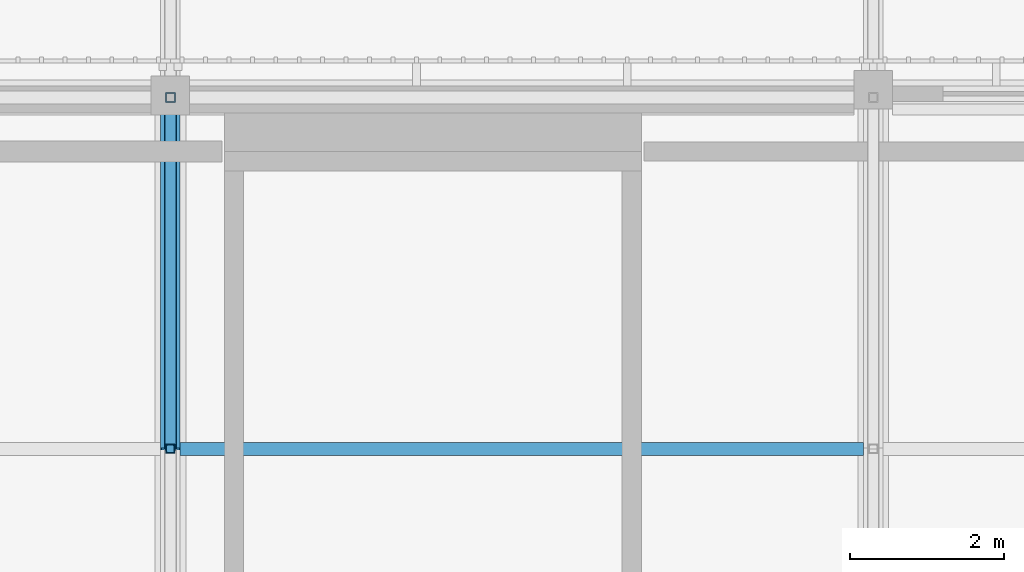
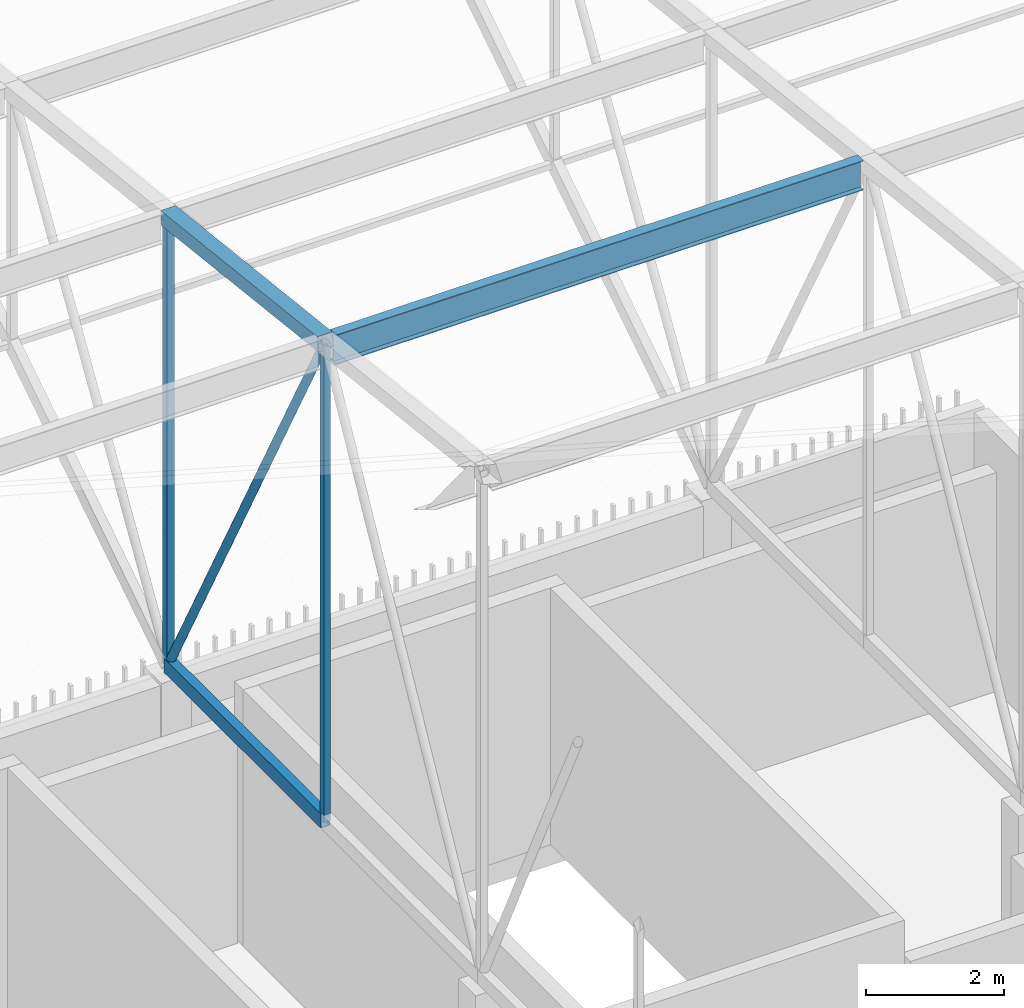
# One storey, part 245 of 500: 6 members.
"""IFC4 building model written with IfcOpenShell, lengths in metres."""

import ifcopenshell
import ifcopenshell.guid

model = None  # the IFC model being written
_history = None  # IfcOwnerHistory: only IFC2X3 demands one
_inside = {}  # id of a spatial element -> (the spatial element, [elements in it])
_under = {}  # id of a project, library or spatial element -> (it, [spatial elements below it])
_declared = {}  # id of a project -> (the project, [libraries it declares])
_typed = {}  # id of a type object -> (the type object, [elements of that type])
_made_of = {}  # id of a material, layer set ... -> (it, [elements and type objects made of it])


def new_model(schema):
    """Start an empty IFC model of exactly this schema.

    Asked for "IFC4X3", IfcOpenShell would pick the latest addendum, in which some entities
    have other attributes; the version numbers below select the first issue.
    IFC2X3 requires an IfcOwnerHistory on every rooted entity: one is made here for all.
    """
    global model, _history
    if schema == "IFC4X3":
        model = ifcopenshell.file(schema_version=(4, 3, 0, 0))
    else:
        model = ifcopenshell.file(schema=schema)
    _inside.clear()
    _under.clear()
    _declared.clear()
    _typed.clear()
    _made_of.clear()
    _history = None
    if model.schema == "IFC2X3":
        org = make("IfcOrganization", Name="unknown")
        user = make(
            "IfcPersonAndOrganization",
            ThePerson=make("IfcPerson", FamilyName="unknown"),
            TheOrganization=org,
        )
        app = make(
            "IfcApplication",
            ApplicationDeveloper=org,
            Version="unknown",
            ApplicationFullName="unknown",
            ApplicationIdentifier="unknown",
        )
        _history = make(
            "IfcOwnerHistory",
            OwningUser=user,
            OwningApplication=app,
            ChangeAction="ADDED",
            CreationDate=0,
        )
    return model


def make(cls, **values):
    """One entity of the class cls with the attributes given. An attribute that is None is left unset."""
    return model.create_entity(
        cls, **{name: value for name, value in values.items() if value is not None}
    )


def rooted(cls, **values):
    """An entity with a GlobalId (a new one), such as an element, a storey or a relation."""
    return make(cls, GlobalId=ifcopenshell.guid.new(), OwnerHistory=_history, **values)


def si_unit(unit_type, name, prefix=None):
    """IfcSIUnit, for example si_unit("LENGTHUNIT", "METRE", prefix="MILLI")."""
    return make("IfcSIUnit", UnitType=unit_type, Prefix=prefix, Name=name)


def assignment(units):
    """IfcUnitAssignment: the units of a project."""
    return None if units is None else make("IfcUnitAssignment", Units=units)


def point(xyz):
    """IfcCartesianPoint."""
    return None if xyz is None else make("IfcCartesianPoint", Coordinates=xyz)


def direction(xyz):
    """IfcDirection."""
    return None if xyz is None else make("IfcDirection", DirectionRatios=xyz)


def frame(location, z_axis=None, x_axis=None):
    """IfcAxis2Placement3D, a coordinate frame: its origin and axes. An axis left out is left unset."""
    return make(
        "IfcAxis2Placement3D",
        Location=point(location),
        Axis=direction(z_axis),
        RefDirection=direction(x_axis),
    )


def frame_2d(location, x_axis=None):
    """IfcAxis2Placement2D, a coordinate frame in the plane: its origin and x axis."""
    return make(
        "IfcAxis2Placement2D", Location=point(location), RefDirection=direction(x_axis)
    )


def origin():
    """The frame at (0, 0, 0) with its axes left unset."""
    return frame((0.0, 0.0, 0.0))


def origin_2d():
    """The frame at (0, 0) in the plane with its x axis left unset."""
    return frame_2d((0.0, 0.0))


def place(relative_to, where):
    """IfcLocalPlacement: puts the frame where relative to a parent placement (None: the world)."""
    return make(
        "IfcLocalPlacement", PlacementRelTo=relative_to, RelativePlacement=where
    )


def context(
    kind, dimensions, precision=None, world=None, true_north=None, identifier=None
):
    """IfcGeometricRepresentationContext, for example the 3D "Model" context."""
    return make(
        "IfcGeometricRepresentationContext",
        ContextIdentifier=identifier,
        ContextType=kind,
        CoordinateSpaceDimension=dimensions,
        Precision=precision,
        WorldCoordinateSystem=world,
        TrueNorth=true_north,
    )


def subcontext(parent, identifier, kind, view, scale=None):
    """IfcGeometricRepresentationSubContext, for example "Body" below "Model"."""
    return make(
        "IfcGeometricRepresentationSubContext",
        ContextIdentifier=identifier,
        ContextType=kind,
        ParentContext=parent,
        TargetScale=scale,
        TargetView=view,
    )


def project(units=None, contexts=None):
    """IfcProject with its units and contexts."""
    return rooted(
        "IfcProject",
        Name="project",
        RepresentationContexts=contexts,
        UnitsInContext=assignment(units),
    )


def spatial(cls, under=None, at=None, **own):
    """A site, building, storey or space (cls), placed at a placement, below another one or the project."""
    s = rooted(cls, ObjectPlacement=at, **own)
    if under is not None:
        _under.setdefault(under.id(), (under, []))[1].append(s)
    return s


def profile(cls, at=None, kind="AREA", **sizes):
    """A parametric profile (cls). Its sizes go by their IFC names, for example OverallWidth=200.0."""
    return make(cls, ProfileType=kind, Position=at, **sizes)


def hollow_rectangle(**sizes):
    """IfcRectangleHollowProfileDef."""
    return profile("IfcRectangleHollowProfileDef", **sizes)


def hollow_circle(**sizes):
    """IfcCircleHollowProfileDef."""
    return profile("IfcCircleHollowProfileDef", **sizes)


def i_section(**sizes):
    """IfcIShapeProfileDef."""
    return profile("IfcIShapeProfileDef", **sizes)


def extrude(swept, where, along, depth):
    """IfcExtrudedAreaSolid: the profile swept, set in the frame where, extruded along a direction by depth."""
    return make(
        "IfcExtrudedAreaSolid",
        SweptArea=swept,
        Position=where,
        ExtrudedDirection=direction(along),
        Depth=depth,
    )


def shape(context_of_items, identifier, shape_type, items):
    """IfcShapeRepresentation: the items that make up one representation, for example the "Body"."""
    return make(
        "IfcShapeRepresentation",
        ContextOfItems=context_of_items,
        RepresentationIdentifier=identifier,
        RepresentationType=shape_type,
        Items=items,
    )


def material(Name=None, Category=None):
    """IfcMaterial."""
    return make("IfcMaterial", Name=Name, Category=Category)


def material_profile(
    of_material, cross_section, Name=None, Category=None, Priority=None
):
    """IfcMaterialProfile: a cross section and its material."""
    return make(
        "IfcMaterialProfile",
        Name=Name,
        Material=of_material,
        Profile=cross_section,
        Priority=Priority,
        Category=Category,
    )


def profile_set(profiles, Name=None, composite=None):
    """IfcMaterialProfileSet."""
    return make(
        "IfcMaterialProfileSet",
        Name=Name,
        MaterialProfiles=profiles,
        CompositeProfile=composite,
    )


def made_of(thing, what):
    """Note that an element or type object is made of a material, layer set ...; save() writes the relation."""
    if what is not None:
        _made_of.setdefault(what.id(), (what, []))[1].append(thing)
    return thing


def type_object(cls, material=None, **own):
    """A type object (cls), such as IfcWallType, which elements share."""
    return made_of(rooted(cls, **own), material)


def element(
    cls,
    number,
    at=None,
    inside=None,
    cuts=None,
    type_object=None,
    material=None,
    context=None,
    identifier="Body",
    shape_type=None,
    held_by="IfcProductDefinitionShape",
    body=None,
    shapes=None,
    **own,
):
    """One element of the class cls, such as IfcWall. Its Tag is "e" and its number.

    at: its placement. inside: the storey or other place that contains it. cuts: it is an
    opening in that element (IfcRelVoidsElement). A single representation is given by context,
    identifier, shape_type and body (its items); several are given by shapes. held_by: the class
    of the entity that holds the representations. save() writes the other relations.
    """
    e = rooted(cls, Tag="e%d" % number, ObjectPlacement=at, **own)
    if body is not None:
        shapes = [shape(context, identifier, shape_type, body)]
    if shapes is not None:
        e.Representation = make(held_by, Representations=shapes)
    if inside is not None:
        _inside.setdefault(inside.id(), (inside, []))[1].append(e)
    if cuts is not None:
        rooted(
            "IfcRelVoidsElement", RelatingBuildingElement=cuts, RelatedOpeningElement=e
        )
    if type_object is not None:
        _typed.setdefault(type_object.id(), (type_object, []))[1].append(e)
    return made_of(e, material)


def aggregate(whole, parts):
    """IfcRelAggregates: a whole, such as a stair, and the parts it consists of."""
    return rooted("IfcRelAggregates", RelatingObject=whole, RelatedObjects=parts)


def save(model, path):
    """Write the relations noted so far, then the file.

    IfcRelAggregates (storeys below a building ...), IfcRelContainedInSpatialStructure (elements
    in a storey), IfcRelDefinesByType, IfcRelAssociatesMaterial and IfcRelDeclares: one each for
    every whole, place, type object, material and project.
    """
    for whole, parts in _under.values():
        aggregate(whole, parts)
    for where, things in _inside.values():
        rooted(
            "IfcRelContainedInSpatialStructure",
            RelatedElements=things,
            RelatingStructure=where,
        )
    for kind, things in _typed.values():
        rooted("IfcRelDefinesByType", RelatedObjects=things, RelatingType=kind)
    for what, things in _made_of.values():
        rooted("IfcRelAssociatesMaterial", RelatedObjects=things, RelatingMaterial=what)
    for by, libraries in _declared.values():
        rooted("IfcRelDeclares", RelatingContext=by, RelatedDefinitions=libraries)
    model.write(path)


model = new_model("IFC4")

# Units and contexts
model_context = context("Model", 3, precision=1e-05, world=origin(), true_north=direction((0.0, 1.0)))
body_context = subcontext(model_context, "Body", "Model", "MODEL_VIEW")
ifc_project = project(units=[si_unit("LENGTHUNIT", "METRE"), si_unit("AREAUNIT", "SQUARE_METRE"), si_unit("VOLUMEUNIT", "CUBIC_METRE"), si_unit("PLANEANGLEUNIT", "RADIAN"), si_unit("MASSUNIT", "GRAM", prefix="KILO")], contexts=[model_context])

# Site, building, storey
site_placement = place(None, origin())
site = spatial("IfcSite", under=ifc_project, at=site_placement, CompositionType="ELEMENT")
building_placement = place(site_placement, origin())
building = spatial("IfcBuilding", under=site, at=building_placement, Name="Shirokan Park Arena", CompositionType="ELEMENT")
storey_placement = place(building_placement, frame((0.0, 0.0, 29.1201171875)))
storey = spatial("IfcBuildingStorey", under=building, at=storey_placement, Name="L06", CompositionType="ELEMENT", Elevation=29.1201171875)

# Members
ifc_material_1 = material(Name="Steel ASTM A500 Grade C", Category="steel")
ifc_material_profile_1 = material_profile(ifc_material_1, hollow_rectangle(XDim=0.152099609375, YDim=0.25390625, WallThickness=0.009521484375, at=origin_2d()), Name="HSS254X152.4X9.5")
ifc_profile_set_1 = profile_set([ifc_material_profile_1], Name="Steel ASTM A500 Grade C")
member_type_1 = type_object("IfcMemberType", Name="Bottom chord HSS254X152.4X9.5", PredefinedType="CHORD", material=ifc_profile_set_1)
member_1_placement = place(storey_placement, frame((27.300048828125, 104.64990234375, 4.677001953125), z_axis=(0.0, 1.0, 0.0), x_axis=(-1.0, 0.0, 0.0)))
element("IfcMember", 1, at=member_1_placement, inside=storey, type_object=member_type_1, Name="Truss T04 bottom chord 26", PredefinedType="CHORD", context=body_context, shape_type="SweptSolid", body=[
    extrude(hollow_rectangle(XDim=0.152099609375, YDim=0.25390625, WallThickness=0.009521484375, at=origin_2d()), origin(), (0.0, 0.0, 1.0), 4.550048828125),
])
ifc_material_2 = material(Name="Steel ASTM A992", Category="steel")
ifc_material_profile_2 = material_profile(ifc_material_2, i_section(OverallWidth=0.166015625, OverallDepth=0.528076171875, WebThickness=0.009765625, FlangeThickness=0.013671875, at=origin_2d()), Name="W530X74")
ifc_profile_set_2 = profile_set([ifc_material_profile_2], Name="Steel ASTM A992")
member_type_2 = type_object("IfcMemberType", Name="Purlin W530X74", PredefinedType="PURLIN", material=ifc_profile_set_2)
member_2_placement = place(storey_placement, frame((27.427001953125, 104.64990234375, 13.005859375), z_axis=(1.0, 0.0, 0.0), x_axis=(0.0, 1.0, 0.0)))
element("IfcMember", 2, at=member_2_placement, inside=storey, type_object=member_type_2, Name="Purlin 26 bay 4", PredefinedType="PURLIN", context=body_context, shape_type="SweptSolid", body=[
    extrude(i_section(OverallWidth=0.166015625, OverallDepth=0.528076171875, WebThickness=0.009765625, FlangeThickness=0.013671875, at=origin_2d()), origin(), (0.0, 0.0, 1.0), 8.845947265625),
])
ifc_material_profile_3 = material_profile(ifc_material_1, hollow_rectangle(XDim=0.25390625, YDim=0.25390625, WallThickness=0.009521484375, at=origin_2d()), Name="HSS254X254X9.5")
ifc_profile_set_3 = profile_set([ifc_material_profile_3], Name="Steel ASTM A500 Grade C")
member_type_3 = type_object("IfcMemberType", Name="Top chord HSS254X254X9.5", PredefinedType="CHORD", material=ifc_profile_set_3)
member_3_placement = place(storey_placement, frame((27.300048828125, 104.64990234375, 13.142822265625), z_axis=(0.0, 0.993532328996, -0.113549598152), x_axis=(-1.0, 0.0, 0.0)))
element("IfcMember", 3, at=member_3_placement, inside=storey, type_object=member_type_3, Name="Truss T04 top chord 26", PredefinedType="CHORD", context=body_context, shape_type="SweptSolid", body=[
    extrude(hollow_rectangle(XDim=0.25390625, YDim=0.25390625, WallThickness=0.009521484375, at=origin_2d()), origin(), (0.0, 0.0, 1.0), 4.57958984375),
])
ifc_material_profile_4 = material_profile(ifc_material_1, hollow_circle(Radius=0.070556640625, WallThickness=0.006591796875, at=origin_2d()), Name="HSS141.3X6.6")
ifc_profile_set_4 = profile_set([ifc_material_profile_4], Name="Steel ASTM A500 Grade C")
member_type_4 = type_object("IfcMemberType", Name="Truss diagonal HSS141.3X6.6", PredefinedType="BRACE", material=ifc_profile_set_4)
member_4_placement = place(storey_placement, frame((27.300048828125, 104.64990234375, 13.142822265625), z_axis=(0.0, 0.473416507165, -0.880838697347), x_axis=(-1.0, 0.0, 0.0)))
element("IfcMember", 4, at=member_4_placement, inside=storey, type_object=member_type_4, Name="Truss T04 diagonal 26", PredefinedType="BRACE", context=body_context, shape_type="SweptSolid", body=[
    extrude(hollow_circle(Radius=0.070556640625, WallThickness=0.006591796875, at=origin_2d()), origin(), (0.0, 0.0, 1.0), 9.611083984375),
])
ifc_material_profile_5 = material_profile(ifc_material_1, hollow_rectangle(XDim=0.114013671875, YDim=0.114013671875, WallThickness=0.00634765625, at=origin_2d()), Name="HSS114.3X114.3X6.4")
ifc_profile_set_5 = profile_set([ifc_material_profile_5], Name="Steel ASTM A500 Grade C")
member_type_5 = type_object("IfcMemberType", Name="Truss post HSS114.3X114.3X6.4", PredefinedType="POST", material=ifc_profile_set_5)
member_5_placement = place(storey_placement, frame((27.300048828125, 104.64990234375, 4.677001953125), z_axis=(0.0, 0.0, 1.0), x_axis=(1.0, 0.0, 0.0)))
element("IfcMember", 5, at=member_5_placement, inside=storey, type_object=member_type_5, Name="Truss T04 post 26", PredefinedType="POST", context=body_context, shape_type="SweptSolid", body=[
    extrude(hollow_rectangle(XDim=0.114013671875, YDim=0.114013671875, WallThickness=0.00634765625, at=origin_2d()), origin(), (0.0, 0.0, 1.0), 8.4658203125),
])
ifc_material_profile_6 = material_profile(ifc_material_1, hollow_rectangle(XDim=0.126953125, YDim=0.126953125, WallThickness=0.0126953125, at=origin_2d()), Name="HSS127X127X12.7")
ifc_profile_set_6 = profile_set([ifc_material_profile_6], Name="Steel ASTM A500 Grade C")
member_type_6 = type_object("IfcMemberType", Name="Truss post HSS127X127X12.7", PredefinedType="POST", material=ifc_profile_set_6)
member_6_placement = place(storey_placement, frame((27.300048828125, 109.199951171875, 4.677001953125), z_axis=(0.0, 0.0, 1.0), x_axis=(1.0, 0.0, 0.0)))
element("IfcMember", 6, at=member_6_placement, inside=storey, type_object=member_type_6, Name="Truss T04 post 27", PredefinedType="POST", context=body_context, shape_type="SweptSolid", body=[
    extrude(hollow_rectangle(XDim=0.126953125, YDim=0.126953125, WallThickness=0.0126953125, at=origin_2d()), origin(), (0.0, 0.0, 1.0), 7.94580078125),
])

save(model, "model.ifc")
